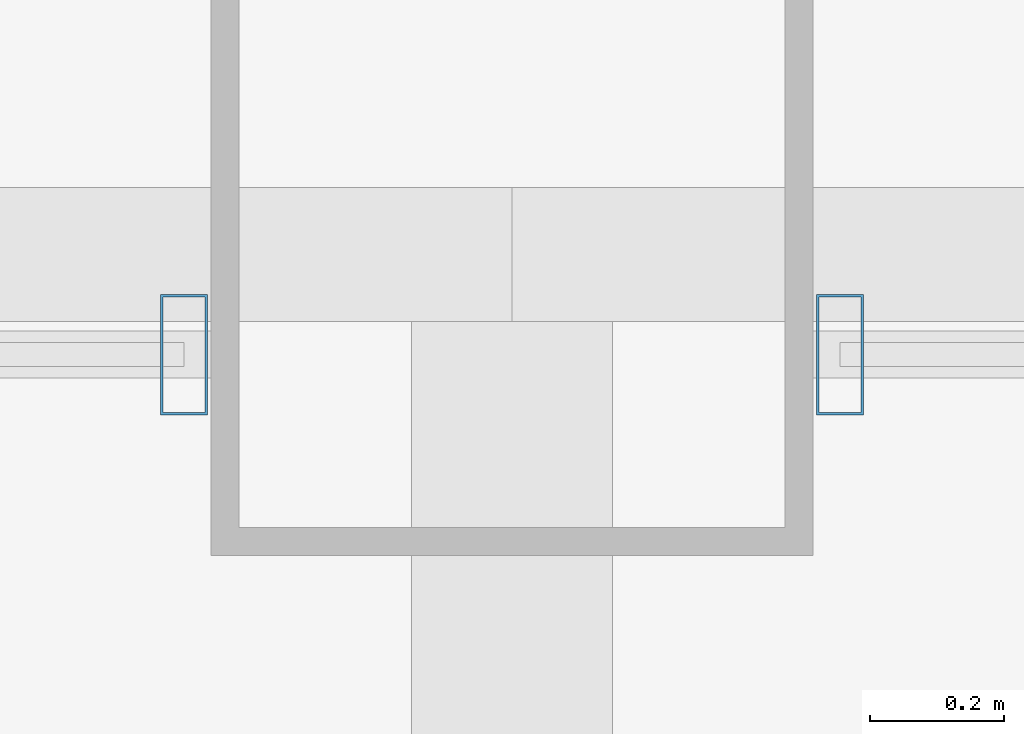
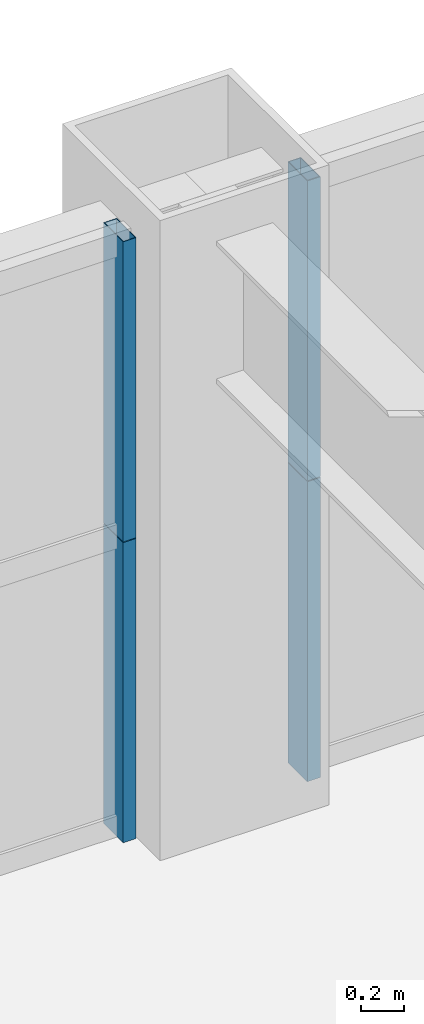
# One storey, part 30 of 43: 4 members, 2 elements without a shape of their own.
"""IFC4 building model written with IfcOpenShell, lengths in metres."""

from ifc_helpers import new_model, si_unit, direction, frame, origin, origin_2d, place, context, subcontext, project, spatial, hollow_rectangle, extrude, source, transform, mapped, material, layer, layer_set, material_profile, profile_set, type_object, element, aggregate, save


model = new_model("IFC4")

# Units and contexts
model_context = context("Model", 3, precision=1e-05, world=origin(), true_north=direction((0.0, 1.0)))
body_context = subcontext(model_context, "Body", "Model", "MODEL_VIEW")
ifc_project = project(units=[si_unit("LENGTHUNIT", "METRE"), si_unit("AREAUNIT", "SQUARE_METRE"), si_unit("VOLUMEUNIT", "CUBIC_METRE"), si_unit("PLANEANGLEUNIT", "RADIAN"), si_unit("MASSUNIT", "GRAM", prefix="KILO"), si_unit("THERMODYNAMICTEMPERATUREUNIT", "KELVIN"), si_unit("POWERUNIT", "WATT")], contexts=[model_context])

# Site, building, storey
site_placement = place(None, origin())
site = spatial("IfcSite", under=ifc_project, at=site_placement, CompositionType="ELEMENT")
building_placement = place(site_placement, origin())
building = spatial("IfcBuilding", under=site, at=building_placement, Name="Yuzanri Waterfront Tower", CompositionType="ELEMENT")
storey_placement = place(building_placement, frame((0.0, 0.0, 53.199951171875)))
storey = spatial("IfcBuildingStorey", under=building, at=storey_placement, Name="L13", CompositionType="ELEMENT", Elevation=53.199951171875)

# Curtain wall, members
ifc_material_1 = material(Name="Anodized Architectural Bronze", Category="metal")
ifc_layer = layer(ifc_material_1, 0.159912109375)
ifc_layer_set = layer_set([ifc_layer], Name="Anodized Architectural Bronze")
curtain_wall_type = type_object("IfcCurtainWallType", Name="Anodized Bronze Hotel Lower-Tier Recessed Unitized Curtain Wall 8100", PredefinedType="NOTDEFINED", material=ifc_layer_set)
curtain_wall_1_placement = place(storey_placement, origin())
curtain_wall_1 = element("IfcCurtainWall", 1, at=curtain_wall_1_placement, inside=storey, type_object=curtain_wall_type, Name="L13 Curtain Wall CW-L13-NL", PredefinedType="NOTDEFINED")
ifc_material_2 = material(Name="Anodized Architectural Bronze", Category="metal")
ifc_material_profile = material_profile(ifc_material_2, hollow_rectangle(XDim=0.070068359375, YDim=0.179931640625, WallThickness=0.00390625, at=origin_2d()), Name="CWM 70x180")
ifc_profile_set = profile_set([ifc_material_profile], Name="Anodized Architectural Bronze")
member_type = type_object("IfcMemberType", Name="Anodized Bronze Standard Curtain-Wall Mullion 70x180", PredefinedType="MULLION", material=ifc_profile_set)
shared_shape = source(origin(), body_context, "Body", "SweptSolid", [
    extrude(hollow_rectangle(XDim=0.070068359375, YDim=0.179931640625, WallThickness=0.00390625, at=origin_2d()), origin(), (0.0, 0.0, 1.0), 1.68798828125),
])
member_1_placement = place(storey_placement, frame((36.510009765625, 50.75, 0.0), z_axis=(0.0, 0.0, 1.0), x_axis=(1.0, 0.0, 0.0)))
member_1 = element("IfcMember", 2, at=member_1_placement, type_object=member_type, Name="CW-L13-NL Lower Mullion 02", PredefinedType="MULLION", context=body_context, shape_type="MappedRepresentation", body=[
    mapped(shared_shape, transform((0.0, 0.0, 0.0), scale=1.0)),
])
member_2_placement = place(storey_placement, frame((36.510009765625, 50.75, 1.692138671875), z_axis=(0.0, 0.0, 1.0), x_axis=(1.0, 0.0, 0.0)))
member_2 = element("IfcMember", 3, at=member_2_placement, type_object=member_type, Name="CW-L13-NL Upper Mullion 02", PredefinedType="MULLION", context=body_context, shape_type="MappedRepresentation", body=[
    mapped(shared_shape, transform((0.0, 0.0, 0.0), scale=1.0)),
])
aggregate(curtain_wall_1, [member_1, member_2])

curtain_wall_2_placement = place(storey_placement, origin())
curtain_wall_2 = element("IfcCurtainWall", 4, at=curtain_wall_2_placement, inside=storey, type_object=curtain_wall_type, Name="L13 Curtain Wall CW-L13-NR", PredefinedType="NOTDEFINED")
member_3_placement = place(storey_placement, frame((37.489990234375, 50.75, 0.0), z_axis=(0.0, 0.0, 1.0), x_axis=(1.0, 0.0, 0.0)))
member_3 = element("IfcMember", 5, at=member_3_placement, type_object=member_type, Name="CW-L13-NR Lower Mullion 00", PredefinedType="MULLION", context=body_context, shape_type="MappedRepresentation", body=[
    mapped(shared_shape, transform((0.0, 0.0, 0.0), scale=1.0)),
])
member_4_placement = place(storey_placement, frame((37.489990234375, 50.75, 1.692138671875), z_axis=(0.0, 0.0, 1.0), x_axis=(1.0, 0.0, 0.0)))
member_4 = element("IfcMember", 6, at=member_4_placement, type_object=member_type, Name="CW-L13-NR Upper Mullion 00", PredefinedType="MULLION", context=body_context, shape_type="MappedRepresentation", body=[
    mapped(shared_shape, transform((0.0, 0.0, 0.0), scale=1.0)),
])
aggregate(curtain_wall_2, [member_3, member_4])

save(model, "model.ifc")
